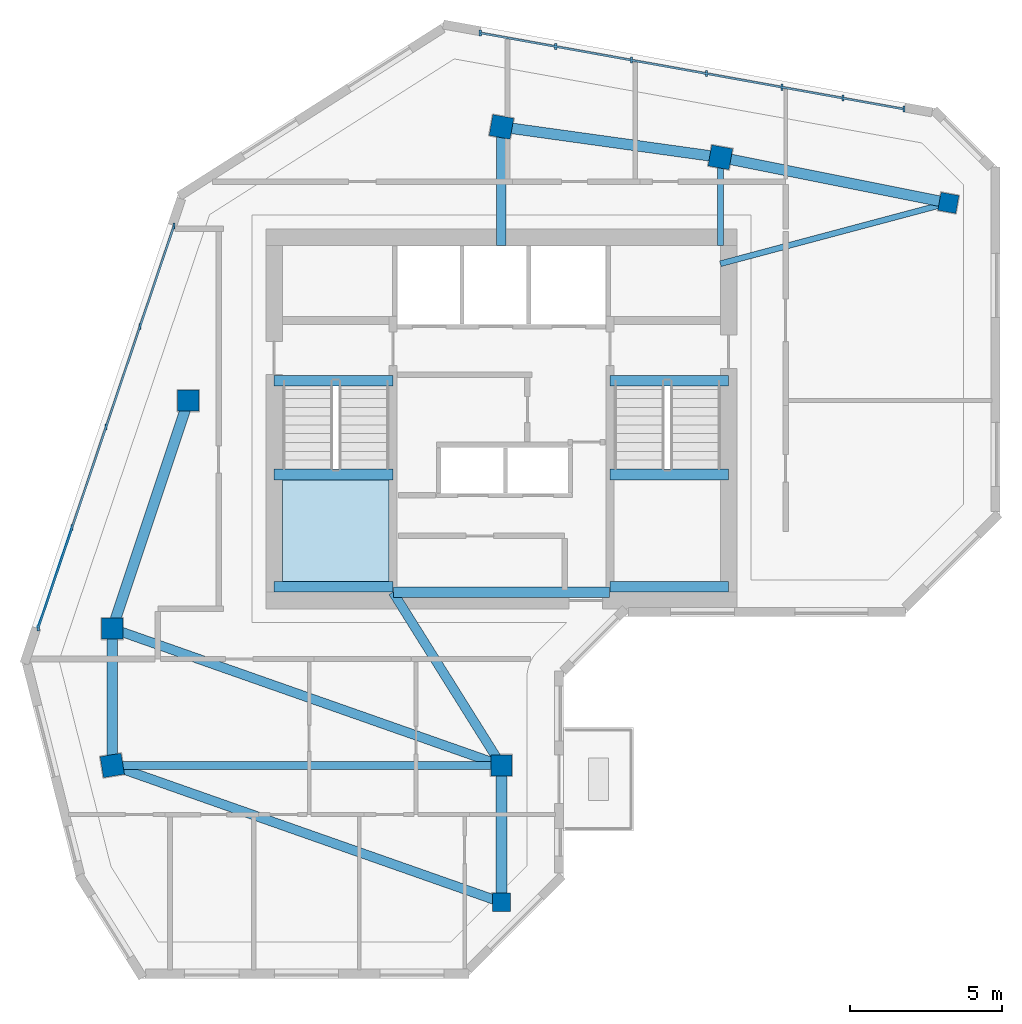
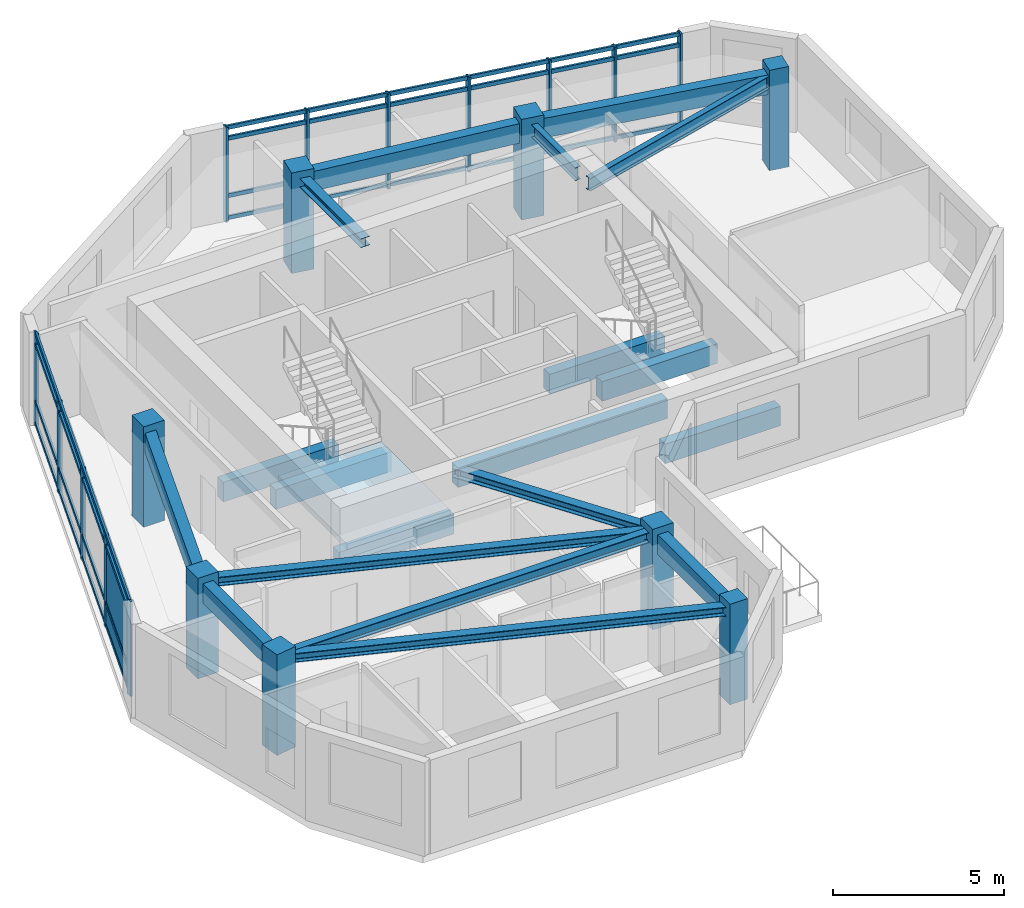
# One storey, part 1 of 7: 20 members, 19 beams, 8 columns, 2 plates, 1 slab, 3 elements without a shape of their own.
"""IFC4 building model written with IfcOpenShell, lengths in metres."""

from ifc_helpers import new_model, si_unit, direction, frame, frame_2d, origin, origin_2d, place, context, subcontext, project, spatial, polyline, rectangle, i_section, outline, extrude, source, transform, mapped, material, layer, layer_set, material_profile, profile_set, type_object, element, aggregate, save


model = new_model("IFC4")

# Units and contexts
model_context = context("Model", 3, precision=1e-05, world=origin(), true_north=direction((0.0, 1.0)))
body_context = subcontext(model_context, "Body", "Model", "MODEL_VIEW")
ifc_project = project(units=[si_unit("LENGTHUNIT", "METRE"), si_unit("AREAUNIT", "SQUARE_METRE"), si_unit("VOLUMEUNIT", "CUBIC_METRE"), si_unit("PLANEANGLEUNIT", "RADIAN"), si_unit("MASSUNIT", "GRAM", prefix="KILO")], contexts=[model_context])

# Site, building, storey
site_placement = place(None, origin())
site = spatial("IfcSite", under=ifc_project, at=site_placement, CompositionType="ELEMENT")
building_placement = place(site_placement, origin())
building = spatial("IfcBuilding", under=site, at=building_placement, Name="Calvemar Wedge Station Tower", CompositionType="ELEMENT")
storey_placement = place(building_placement, frame((0.0, 0.0, 285.300048828125)))
storey = spatial("IfcBuildingStorey", under=building, at=storey_placement, Name="L73", CompositionType="ELEMENT", Elevation=285.300048828125)

# Columns
ifc_material_1 = material(Name="Concrete C50", Category="concrete")
ifc_material_profile_1 = material_profile(ifc_material_1, rectangle(XDim=0.699951171875, YDim=0.699951171875, at=origin_2d()), Name="RC700x700")
ifc_profile_set_1 = profile_set([ifc_material_profile_1], Name="Concrete C50")
column_type_1 = type_object("IfcColumnType", Name="COL-C7-700", PredefinedType="COLUMN", material=ifc_profile_set_1)
shared_shape_1 = source(origin(), body_context, "Body", "SweptSolid", [
    extrude(rectangle(XDim=0.699951171875, YDim=0.699951171875, at=origin_2d()), origin(), (0.0, 0.0, 1.0), 3.599853515625),
])
for number, where, z_axis, x_axis, name in (
    (1, (11.0, 33.0, 0.0), (0.0, 0.0, 1.0), (1.0, 0.0, 0.0), "Storey L73 Column T-NW1"),
    (2, (13.5, 40.5, 0.0), (0.0, 0.0, 1.0), (1.0, 0.0, 0.0), "Storey L73 Column T-NW2"),
    (3, (23.800048828125, 49.5, 0.0), (0.0, 0.0, 1.0), (0.984195607969, -0.17708474032, 0.0), "Storey L73 Column T-N1"),
    (4, (31.0, 48.5, 0.0), (0.0, 0.0, 1.0), (0.984195607969, -0.17708474032, 0.0), "Storey L73 Column T-N2"),
    (5, (11.0, 28.5, 0.0), (0.0, 0.0, 1.0), (0.158158067254, -0.987413806751, 0.0), "Storey L73 Column T-SW1"),
    (6, (23.800048828125, 28.5, 0.0), (0.0, 0.0, 1.0), (1.0, 0.0, 0.0), "Storey L73 Column T-SE1"),
):
    element("IfcColumn", number, at=place(storey_placement, frame(where, z_axis=z_axis, x_axis=x_axis)), inside=storey, type_object=column_type_1, Name=name, PredefinedType="COLUMN", context=body_context, shape_type="MappedRepresentation", body=[
        mapped(shared_shape_1, transform((0.0, 0.0, 0.0), scale=1.0)),
    ])
ifc_material_profile_2 = material_profile(ifc_material_1, rectangle(XDim=0.60009765625, YDim=0.60009765625, at=origin_2d()), Name="RC600x600")
ifc_profile_set_2 = profile_set([ifc_material_profile_2], Name="Concrete C50")
column_type_2 = type_object("IfcColumnType", Name="COL-C8-600", PredefinedType="COLUMN", material=ifc_profile_set_2)
shared_shape_2 = source(origin(), body_context, "Body", "SweptSolid", [
    extrude(rectangle(XDim=0.60009765625, YDim=0.60009765625, at=origin_2d()), origin(), (0.0, 0.0, 1.0), 3.599853515625),
])
for number, where, z_axis, x_axis, name in (
    (7, (38.5, 47.0, 0.0), (0.0, 0.0, 1.0), (0.984195607969, -0.17708474032, 0.0), "Storey L73 Column T-NU3"),
    (8, (23.800048828125, 24.0, 0.0), (0.0, 0.0, 1.0), (1.0, 0.0, 0.0), "Storey L73 Column T-SE2"),
):
    element("IfcColumn", number, at=place(storey_placement, frame(where, z_axis=z_axis, x_axis=x_axis)), inside=storey, type_object=column_type_2, Name=name, PredefinedType="COLUMN", context=body_context, shape_type="MappedRepresentation", body=[
        mapped(shared_shape_2, transform((0.0, 0.0, 0.0), scale=1.0)),
    ])

# Beams
ifc_material_2 = material(Name="Concrete C70", Category="concrete")
ifc_material_profile_3 = material_profile(ifc_material_2, rectangle(XDim=0.35009765625, YDim=0.699951171875, at=origin_2d()), Name="RC350x700")
ifc_profile_set_3 = profile_set([ifc_material_profile_3], Name="Concrete C70")
beam_type_1 = type_object("IfcBeamType", Name="BM-LN1-700", PredefinedType="LINTEL", material=ifc_profile_set_3)
shared_shape_3 = source(origin(), body_context, "Body", "SweptSolid", [
    extrude(rectangle(XDim=0.35009765625, YDim=0.699951171875, at=origin_2d()), origin(), (0.0, 0.0, 1.0), 7.10009765625),
])
beam_1_placement = place(storey_placement, frame((20.25, 34.199951171875, 3.0), z_axis=(1.0, 0.0, 0.0), x_axis=(0.0, 1.0, 0.0)))
element("IfcBeam", 9, at=beam_1_placement, inside=storey, type_object=beam_type_1, Name="Storey L73 Core Coupling Lintel South", PredefinedType="LINTEL", context=body_context, shape_type="MappedRepresentation", body=[
    mapped(shared_shape_3, transform((0.0, 0.0, 0.0), scale=1.0)),
])
ifc_material_3 = material(Name="Structural steel ASTM A572 Grade 50", Category="steel")
ifc_material_profile_4 = material_profile(ifc_material_3, i_section(OverallWidth=0.30908203125, OverallDepth=0.322998046875, WebThickness=0.013916015625, FlangeThickness=0.02294921875, FilletRadius=0.014892578125, at=origin_2d()), Name="W310x143")
ifc_profile_set_4 = profile_set([ifc_material_profile_4], Name="Structural steel ASTM A572 Grade 50")
beam_type_2 = type_object("IfcBeamType", Name="BM-J5-W310H", PredefinedType="JOIST", material=ifc_profile_set_4)
shared_shape_4 = source(origin(), body_context, "Body", "SweptSolid", [
    extrude(i_section(OverallWidth=0.30908203125, OverallDepth=0.322998046875, WebThickness=0.013916015625, FlangeThickness=0.02294921875, FilletRadius=0.014892578125, at=origin_2d()), origin(), (0.0, 0.0, 1.0), 13.568115234375),
])
for number, where, z_axis, x_axis, name in (
    (10, (11.0, 33.0, 3.1884765625), (0.943398221169, -0.331662171939, 0.0), (0.331662171939, 0.943398221169, 0.0), "Storey L73 Floor Beam T-NW1-T-SE1"),
    (11, (11.0, 28.5, 3.1884765625), (0.943398221169, -0.331662171939, 0.0), (0.331662171939, 0.943398221169, 0.0), "Storey L73 Floor Beam T-SW1-T-SE2"),
):
    element("IfcBeam", number, at=place(storey_placement, frame(where, z_axis=z_axis, x_axis=x_axis)), inside=storey, type_object=beam_type_2, Name=name, PredefinedType="JOIST", context=body_context, shape_type="MappedRepresentation", body=[
        mapped(shared_shape_4, transform((0.0, 0.0, 0.0), scale=1.0)),
    ])
ifc_material_profile_5 = material_profile(ifc_material_3, i_section(OverallWidth=0.19189453125, OverallDepth=0.462890625, WebThickness=0.010498046875, FlangeThickness=0.017578125, FilletRadius=0.012939453125, at=origin_2d()), Name="W460x89")
ifc_profile_set_5 = profile_set([ifc_material_profile_5], Name="Structural steel ASTM A572 Grade 50")
beam_type_3 = type_object("IfcBeamType", Name="BM-J1-W460", PredefinedType="JOIST", material=ifc_profile_set_5)
shared_shape_5 = source(origin(), body_context, "Body", "SweptSolid", [
    extrude(i_section(OverallWidth=0.19189453125, OverallDepth=0.462890625, WebThickness=0.010498046875, FlangeThickness=0.017578125, FilletRadius=0.012939453125, at=origin_2d()), origin(), (0.0, 0.0, 1.0), 7.76220703125),
])
beam_2_placement = place(storey_placement, frame((31.0, 45.0, 3.118408203125), z_axis=(0.966234939601, 0.25766265056, 0.0), x_axis=(-0.25766265056, 0.966234939601, 0.0)))
element("IfcBeam", 12, at=beam_2_placement, inside=storey, type_object=beam_type_3, Name="Storey L73 Core-to-Column Joist CJ-E2", PredefinedType="JOIST", context=body_context, shape_type="MappedRepresentation", body=[
    mapped(shared_shape_5, transform((0.0, 0.0, 0.0), scale=1.0)),
])
shared_shape_6 = source(origin(), body_context, "Body", "SweptSolid", [
    extrude(i_section(OverallWidth=0.30908203125, OverallDepth=0.322998046875, WebThickness=0.013916015625, FlangeThickness=0.02294921875, FilletRadius=0.014892578125, at=origin_2d()), origin(), (0.0, 0.0, 1.0), 3.89990234375),
])
beam_3_placement = place(storey_placement, frame((23.800048828125, 45.60009765625, 3.1884765625), z_axis=(0.0, 1.0, 0.0), x_axis=(-1.0, 0.0, 0.0)))
element("IfcBeam", 13, at=beam_3_placement, inside=storey, type_object=beam_type_2, Name="Storey L73 Core-to-Column Joist CJ-N1", PredefinedType="JOIST", context=body_context, shape_type="MappedRepresentation", body=[
    mapped(shared_shape_6, transform((0.0, 0.0, 0.0), scale=1.0)),
])
shared_shape_7 = source(origin(), body_context, "Body", "SweptSolid", [
    extrude(i_section(OverallWidth=0.19189453125, OverallDepth=0.462890625, WebThickness=0.010498046875, FlangeThickness=0.017578125, FilletRadius=0.012939453125, at=origin_2d()), origin(), (0.0, 0.0, 1.0), 2.89990234375),
])
beam_4_placement = place(storey_placement, frame((31.0, 45.60009765625, 3.118408203125), z_axis=(0.0, 1.0, 0.0), x_axis=(-1.0, 0.0, 0.0)))
element("IfcBeam", 14, at=beam_4_placement, inside=storey, type_object=beam_type_3, Name="Storey L73 Core-to-Column Joist CJ-N2", PredefinedType="JOIST", context=body_context, shape_type="MappedRepresentation", body=[
    mapped(shared_shape_7, transform((0.0, 0.0, 0.0), scale=1.0)),
])
shared_shape_8 = source(origin(), body_context, "Body", "SweptSolid", [
    extrude(i_section(OverallWidth=0.30908203125, OverallDepth=0.322998046875, WebThickness=0.013916015625, FlangeThickness=0.02294921875, FilletRadius=0.014892578125, at=origin_2d()), origin(), (0.0, 0.0, 1.0), 6.7255859375),
])
beam_5_placement = place(storey_placement, frame((20.22998046875, 34.199951171875, 3.1884765625), z_axis=(0.530811158438, -0.847490126242, 0.0), x_axis=(0.847490126242, 0.530811158438, 0.0)))
element("IfcBeam", 15, at=beam_5_placement, inside=storey, type_object=beam_type_2, Name="Storey L73 Core-to-Column Joist CJ-S2", PredefinedType="JOIST", context=body_context, shape_type="MappedRepresentation", body=[
    mapped(shared_shape_8, transform((0.0, 0.0, 0.0), scale=1.0)),
])
ifc_material_profile_6 = material_profile(ifc_material_1, rectangle(XDim=0.35009765625, YDim=0.699951171875, at=origin_2d()), Name="RC350x700")
ifc_profile_set_6 = profile_set([ifc_material_profile_6], Name="Concrete C50")
beam_type_4 = type_object("IfcBeamType", Name="BM-SP2-700", PredefinedType="SPANDREL", material=ifc_profile_set_6)
shared_shape_9 = source(origin(), body_context, "Body", "SweptSolid", [
    extrude(rectangle(XDim=0.35009765625, YDim=0.699951171875, at=origin_2d()), origin(), (0.0, 0.0, 1.0), 7.90576171875),
])
beam_6_placement = place(storey_placement, frame((11.0, 33.0, 3.0), z_axis=(0.316227766017, 0.948683298051, 0.0), x_axis=(-0.948683298051, 0.316227766017, 0.0)))
element("IfcBeam", 16, at=beam_6_placement, inside=storey, type_object=beam_type_4, Name="Storey L73 Spandrel T-NW1-T-NW2", PredefinedType="SPANDREL", context=body_context, shape_type="MappedRepresentation", body=[
    mapped(shared_shape_9, transform((0.0, 0.0, 0.0), scale=1.0)),
])
shared_shape_10 = source(origin(), body_context, "Body", "SweptSolid", [
    extrude(rectangle(XDim=0.35009765625, YDim=0.699951171875, at=origin_2d()), origin(), (0.0, 0.0, 1.0), 7.26904296875),
])
beam_7_placement = place(storey_placement, frame((23.800048828125, 49.5, 3.0), z_axis=(0.990492146053, -0.13756928657, 0.0), x_axis=(0.13756928657, 0.990492146053, 0.0)))
element("IfcBeam", 17, at=beam_7_placement, inside=storey, type_object=beam_type_4, Name="Storey L73 Spandrel T-N1-T-N2", PredefinedType="SPANDREL", context=body_context, shape_type="MappedRepresentation", body=[
    mapped(shared_shape_10, transform((0.0, 0.0, 0.0), scale=1.0)),
])
shared_shape_11 = source(origin(), body_context, "Body", "SweptSolid", [
    extrude(rectangle(XDim=0.35009765625, YDim=0.699951171875, at=origin_2d()), origin(), (0.0, 0.0, 1.0), 7.6484375),
])
beam_8_placement = place(storey_placement, frame((31.0, 48.5, 3.0), z_axis=(0.980580675691, -0.196116135138, 0.0), x_axis=(0.196116135138, 0.980580675691, 0.0)))
element("IfcBeam", 18, at=beam_8_placement, inside=storey, type_object=beam_type_4, Name="Storey L73 Spandrel T-N2-T-NU3", PredefinedType="SPANDREL", context=body_context, shape_type="MappedRepresentation", body=[
    mapped(shared_shape_11, transform((0.0, 0.0, 0.0), scale=1.0)),
])
shared_shape_12 = source(origin(), body_context, "Body", "SweptSolid", [
    extrude(rectangle(XDim=0.35009765625, YDim=0.699951171875, at=origin_2d()), origin(), (0.0, 0.0, 1.0), 4.5),
])
for number, where, z_axis, x_axis, name in (
    (19, (11.0, 33.0, 3.0), (0.0, -1.0, 0.0), (1.0, 0.0, 0.0), "Storey L73 Spandrel T-NW1-T-SW1"),
    (20, (23.800048828125, 28.5, 3.0), (0.0, -1.0, 0.0), (1.0, 0.0, 0.0), "Storey L73 Spandrel T-SE1-T-SE2"),
):
    element("IfcBeam", number, at=place(storey_placement, frame(where, z_axis=z_axis, x_axis=x_axis)), inside=storey, type_object=beam_type_4, Name=name, PredefinedType="SPANDREL", context=body_context, shape_type="MappedRepresentation", body=[
        mapped(shared_shape_12, transform((0.0, 0.0, 0.0), scale=1.0)),
    ])
shared_shape_13 = source(origin(), body_context, "Body", "SweptSolid", [
    extrude(rectangle(XDim=0.35009765625, YDim=0.699951171875, at=origin_2d()), origin(), (0.0, 0.0, 1.0), 3.905029296875),
])
for number, where, z_axis, x_axis, name in (
    (21, (16.324951171875, 41.14990234375, -0.35009765625), (1.0, 0.0, 0.0), (0.0, 1.0, 0.0), "Storey L73 Stair ST-C1 Landing Trimmer Beam"),
    (22, (16.324951171875, 34.3798828125, 1.25), (1.0, 0.0, 0.0), (0.0, 1.0, 0.0), "Storey L73 Stair ST-C1 Half-Landing Beam 1A"),
    (23, (16.324951171875, 38.070068359375, 1.25), (1.0, 0.0, 0.0), (0.0, 1.0, 0.0), "Storey L73 Stair ST-C1 Half-Landing Beam 1B"),
):
    element("IfcBeam", number, at=place(storey_placement, frame(where, z_axis=z_axis, x_axis=x_axis)), inside=storey, type_object=beam_type_1, Name=name, PredefinedType="LINTEL", context=body_context, shape_type="MappedRepresentation", body=[
        mapped(shared_shape_13, transform((0.0, 0.0, 0.0), scale=1.0)),
    ])
shared_shape_14 = source(origin(), body_context, "Body", "SweptSolid", [
    extrude(rectangle(XDim=0.35009765625, YDim=0.699951171875, at=origin_2d()), origin(), (0.0, 0.0, 1.0), 3.90478515625),
])
for number, where, z_axis, x_axis, name in (
    (24, (27.3701171875, 41.14990234375, -0.35009765625), (1.0, 0.0, 0.0), (0.0, 1.0, 0.0), "Storey L73 Stair ST-C2 Landing Trimmer Beam"),
    (25, (27.3701171875, 34.3798828125, 1.25), (1.0, 0.0, 0.0), (0.0, 1.0, 0.0), "Storey L73 Stair ST-C2 Half-Landing Beam 1A"),
    (26, (27.3701171875, 38.070068359375, 1.25), (1.0, 0.0, 0.0), (0.0, 1.0, 0.0), "Storey L73 Stair ST-C2 Half-Landing Beam 1B"),
):
    element("IfcBeam", number, at=place(storey_placement, frame(where, z_axis=z_axis, x_axis=x_axis)), inside=storey, type_object=beam_type_1, Name=name, PredefinedType="LINTEL", context=body_context, shape_type="MappedRepresentation", body=[
        mapped(shared_shape_14, transform((0.0, 0.0, 0.0), scale=1.0)),
    ])
ifc_material_profile_7 = material_profile(ifc_material_3, i_section(OverallWidth=0.257080078125, OverallDepth=0.363037109375, WebThickness=0.012939453125, FlangeThickness=0.021728515625, FilletRadius=0.014892578125, at=origin_2d()), Name="W360x122")
ifc_profile_set_7 = profile_set([ifc_material_profile_7], Name="Structural steel ASTM A572 Grade 50")
beam_type_5 = type_object("IfcBeamType", Name="BM-J4-W360", PredefinedType="JOIST", material=ifc_profile_set_7)
shared_shape_15 = source(origin(), body_context, "Body", "SweptSolid", [
    extrude(i_section(OverallWidth=0.257080078125, OverallDepth=0.363037109375, WebThickness=0.012939453125, FlangeThickness=0.021728515625, FilletRadius=0.014892578125, at=origin_2d()), origin(), (0.0, 0.0, 1.0), 12.800048828125),
])
beam_9_placement = place(storey_placement, frame((11.0, 28.5, 3.16845703125), z_axis=(1.0, 0.0, 0.0), x_axis=(0.0, 1.0, 0.0)))
element("IfcBeam", 27, at=beam_9_placement, inside=storey, type_object=beam_type_5, Name="Storey L73 Floor Beam T-SW1-T-SE1", PredefinedType="JOIST", context=body_context, shape_type="MappedRepresentation", body=[
    mapped(shared_shape_15, transform((0.0, 0.0, 0.0), scale=1.0)),
])

# Curtain wall, members
ifc_material_4 = material(Name="Anodised aluminium 6063-T6", Category="aluminium")
curtain_wall_type = type_object("IfcCurtainWallType", Name="CW4", PredefinedType="NOTDEFINED", material=ifc_material_4)
curtain_wall_1_placement = place(storey_placement, origin())
curtain_wall_1 = element("IfcCurtainWall", 28, at=curtain_wall_1_placement, inside=storey, type_object=curtain_wall_type, Name="Storey L73 CW4 Recessed Unitised Curtain Wall 10", PredefinedType="NOTDEFINED")
ifc_material_profile_8 = material_profile(ifc_material_4, rectangle(XDim=0.070068359375, YDim=0.199951171875, at=origin_2d()), Name="AL-MUL-70x200")
ifc_profile_set_8 = profile_set([ifc_material_profile_8], Name="Anodised aluminium 6063-T6")
member_type_1 = type_object("IfcMemberType", Name="CW4-MUL", PredefinedType="MULLION", material=ifc_profile_set_8)
shared_shape_16 = source(origin(), body_context, "Body", "SweptSolid", [
    extrude(rectangle(XDim=0.070068359375, YDim=0.199951171875, at=origin_2d()), origin(), (0.0, 0.0, 1.0), 3.39990234375),
])
member_1_placement = place(storey_placement, frame((37.033935546875, 50.084228515625, -0.050048828125), z_axis=(0.0, 0.0, 1.0), x_axis=(1.0, 0.0, 0.0)))
member_1 = element("IfcMember", 29, at=member_1_placement, type_object=member_type_1, Name="CW4 mullion 1", PredefinedType="MULLION", context=body_context, shape_type="MappedRepresentation", body=[
    mapped(shared_shape_16, transform((0.0, 0.0, 0.0), scale=1.0)),
])
member_2_placement = place(storey_placement, frame((35.02783203125, 50.44482421875, -0.050048828125), z_axis=(0.0, 0.0, 1.0), x_axis=(1.0, 0.0, 0.0)))
member_2 = element("IfcMember", 30, at=member_2_placement, type_object=member_type_1, Name="CW4 mullion 2", PredefinedType="MULLION", context=body_context, shape_type="MappedRepresentation", body=[
    mapped(shared_shape_16, transform((0.0, 0.0, 0.0), scale=1.0)),
])
member_3_placement = place(storey_placement, frame((33.02197265625, 50.805419921875, -0.050048828125), z_axis=(0.0, 0.0, 1.0), x_axis=(1.0, 0.0, 0.0)))
member_3 = element("IfcMember", 31, at=member_3_placement, type_object=member_type_1, Name="CW4 mullion 3", PredefinedType="MULLION", context=body_context, shape_type="MappedRepresentation", body=[
    mapped(shared_shape_16, transform((0.0, 0.0, 0.0), scale=1.0)),
])
member_4_placement = place(storey_placement, frame((30.546875, 51.250244140625, -0.050048828125), z_axis=(0.0, 0.0, 1.0), x_axis=(1.0, 0.0, 0.0)))
member_4 = element("IfcMember", 32, at=member_4_placement, type_object=member_type_1, Name="CW4 mullion 4", PredefinedType="MULLION", context=body_context, shape_type="MappedRepresentation", body=[
    mapped(shared_shape_16, transform((0.0, 0.0, 0.0), scale=1.0)),
])
member_5_placement = place(storey_placement, frame((28.072021484375, 51.695068359375, -0.050048828125), z_axis=(0.0, 0.0, 1.0), x_axis=(1.0, 0.0, 0.0)))
member_5 = element("IfcMember", 33, at=member_5_placement, type_object=member_type_1, Name="CW4 mullion 5", PredefinedType="MULLION", context=body_context, shape_type="MappedRepresentation", body=[
    mapped(shared_shape_16, transform((0.0, 0.0, 0.0), scale=1.0)),
])
member_6_placement = place(storey_placement, frame((25.587646484375, 52.1416015625, -0.050048828125), z_axis=(0.0, 0.0, 1.0), x_axis=(1.0, 0.0, 0.0)))
member_6 = element("IfcMember", 34, at=member_6_placement, type_object=member_type_1, Name="CW4 mullion 6", PredefinedType="MULLION", context=body_context, shape_type="MappedRepresentation", body=[
    mapped(shared_shape_16, transform((0.0, 0.0, 0.0), scale=1.0)),
])
member_7_placement = place(storey_placement, frame((23.10302734375, 52.58837890625, -0.050048828125), z_axis=(0.0, 0.0, 1.0), x_axis=(1.0, 0.0, 0.0)))
member_7 = element("IfcMember", 35, at=member_7_placement, type_object=member_type_1, Name="CW4 mullion 7", PredefinedType="MULLION", context=body_context, shape_type="MappedRepresentation", body=[
    mapped(shared_shape_16, transform((0.0, 0.0, 0.0), scale=1.0)),
])

curtain_wall_2_placement = place(storey_placement, origin())
curtain_wall_2 = element("IfcCurtainWall", 36, at=curtain_wall_2_placement, inside=storey, type_object=curtain_wall_type, Name="Storey L73 CW4 Recessed Unitised Curtain Wall 12", PredefinedType="NOTDEFINED")
member_8_placement = place(storey_placement, frame((13.030029296875, 46.240478515625, -0.050048828125), z_axis=(0.0, 0.0, 1.0), x_axis=(1.0, 0.0, 0.0)))
member_8 = element("IfcMember", 37, at=member_8_placement, type_object=member_type_1, Name="CW4 mullion 1", PredefinedType="MULLION", context=body_context, shape_type="MappedRepresentation", body=[
    mapped(shared_shape_16, transform((0.0, 0.0, 0.0), scale=1.0)),
])
member_9_placement = place(storey_placement, frame((11.913818359375, 42.9345703125, -0.050048828125), z_axis=(0.0, 0.0, 1.0), x_axis=(1.0, 0.0, 0.0)))
member_9 = element("IfcMember", 38, at=member_9_placement, type_object=member_type_1, Name="CW4 mullion 2", PredefinedType="MULLION", context=body_context, shape_type="MappedRepresentation", body=[
    mapped(shared_shape_16, transform((0.0, 0.0, 0.0), scale=1.0)),
])
member_10_placement = place(storey_placement, frame((10.797607421875, 39.628662109375, -0.050048828125), z_axis=(0.0, 0.0, 1.0), x_axis=(1.0, 0.0, 0.0)))
member_10 = element("IfcMember", 39, at=member_10_placement, type_object=member_type_1, Name="CW4 mullion 3", PredefinedType="MULLION", context=body_context, shape_type="MappedRepresentation", body=[
    mapped(shared_shape_16, transform((0.0, 0.0, 0.0), scale=1.0)),
])
member_11_placement = place(storey_placement, frame((9.681396484375, 36.32275390625, -0.050048828125), z_axis=(0.0, 0.0, 1.0), x_axis=(1.0, 0.0, 0.0)))
member_11 = element("IfcMember", 40, at=member_11_placement, type_object=member_type_1, Name="CW4 mullion 4", PredefinedType="MULLION", context=body_context, shape_type="MappedRepresentation", body=[
    mapped(shared_shape_16, transform((0.0, 0.0, 0.0), scale=1.0)),
])
member_12_placement = place(storey_placement, frame((8.56494140625, 33.016845703125, -0.050048828125), z_axis=(0.0, 0.0, 1.0), x_axis=(1.0, 0.0, 0.0)))
member_12 = element("IfcMember", 41, at=member_12_placement, type_object=member_type_1, Name="CW4 mullion 5", PredefinedType="MULLION", context=body_context, shape_type="MappedRepresentation", body=[
    mapped(shared_shape_16, transform((0.0, 0.0, 0.0), scale=1.0)),
])

# Member
ifc_material_profile_9 = material_profile(ifc_material_4, rectangle(XDim=0.070068359375, YDim=0.139892578125, at=origin_2d()), Name="AL-TRN-70x140")
ifc_profile_set_9 = profile_set([ifc_material_profile_9], Name="Anodised aluminium 6063-T6")
member_type_2 = type_object("IfcMemberType", Name="CW4-TRN", PredefinedType="USERDEFINED", material=ifc_profile_set_9)
shared_shape_17 = source(origin(), body_context, "Body", "SweptSolid", [
    extrude(rectangle(XDim=0.070068359375, YDim=0.139892578125, at=origin_2d()), origin(), (0.0, 0.0, 1.0), 14.154296875),
])
member_13_placement = place(storey_placement, frame((37.033935546875, 50.084228515625, 0.06005859375), z_axis=(-0.984225338595, 0.17691942479, 0.0), x_axis=(-0.17691942479, -0.984225338595, 0.0)))
member_13 = element("IfcMember", 42, at=member_13_placement, type_object=member_type_2, Name="CW4 transom 1", ObjectType="TRANSOM", PredefinedType="USERDEFINED", context=body_context, shape_type="MappedRepresentation", body=[
    mapped(shared_shape_17, transform((0.0, 0.0, 0.0), scale=1.0)),
])

member_14_placement = place(storey_placement, frame((37.033935546875, 50.084228515625, 0.849853515625), z_axis=(-0.984225338595, 0.17691942479, 0.0), x_axis=(-0.17691942479, -0.984225338595, 0.0)))
member_14 = element("IfcMember", 43, at=member_14_placement, type_object=member_type_2, Name="CW4 transom 2", ObjectType="TRANSOM", PredefinedType="USERDEFINED", context=body_context, shape_type="MappedRepresentation", body=[
    mapped(shared_shape_17, transform((0.0, 0.0, 0.0), scale=1.0)),
])

member_15_placement = place(storey_placement, frame((37.033935546875, 50.084228515625, 2.89990234375), z_axis=(-0.984225338595, 0.17691942479, 0.0), x_axis=(-0.17691942479, -0.984225338595, 0.0)))
member_15 = element("IfcMember", 44, at=member_15_placement, type_object=member_type_2, Name="CW4 transom 3", ObjectType="TRANSOM", PredefinedType="USERDEFINED", context=body_context, shape_type="MappedRepresentation", body=[
    mapped(shared_shape_17, transform((0.0, 0.0, 0.0), scale=1.0)),
])

member_16_placement = place(storey_placement, frame((37.033935546875, 50.084228515625, 3.2900390625), z_axis=(-0.984225338595, 0.17691942479, 0.0), x_axis=(-0.17691942479, -0.984225338595, 0.0)))
member_16 = element("IfcMember", 45, at=member_16_placement, type_object=member_type_2, Name="CW4 transom 4", ObjectType="TRANSOM", PredefinedType="USERDEFINED", context=body_context, shape_type="MappedRepresentation", body=[
    mapped(shared_shape_17, transform((0.0, 0.0, 0.0), scale=1.0)),
])

aggregate(curtain_wall_1, [member_1, member_2, member_3, member_4, member_5, member_6, member_7, member_13, member_14, member_15, member_16])

shared_shape_18 = source(origin(), body_context, "Body", "SweptSolid", [
    extrude(rectangle(XDim=0.070068359375, YDim=0.139892578125, at=origin_2d()), origin(), (0.0, 0.0, 1.0), 13.95703125),
])
member_17_placement = place(storey_placement, frame((13.030029296875, 46.240478515625, 0.06005859375), z_axis=(-0.319914475782, -0.947446424968, 0.0), x_axis=(0.947446424968, -0.319914475782, 0.0)))
member_17 = element("IfcMember", 46, at=member_17_placement, type_object=member_type_2, Name="CW4 transom 1", ObjectType="TRANSOM", PredefinedType="USERDEFINED", context=body_context, shape_type="MappedRepresentation", body=[
    mapped(shared_shape_18, transform((0.0, 0.0, 0.0), scale=1.0)),
])

member_18_placement = place(storey_placement, frame((13.030029296875, 46.240478515625, 0.849853515625), z_axis=(-0.319914475782, -0.947446424968, 0.0), x_axis=(0.947446424968, -0.319914475782, 0.0)))
member_18 = element("IfcMember", 47, at=member_18_placement, type_object=member_type_2, Name="CW4 transom 2", ObjectType="TRANSOM", PredefinedType="USERDEFINED", context=body_context, shape_type="MappedRepresentation", body=[
    mapped(shared_shape_18, transform((0.0, 0.0, 0.0), scale=1.0)),
])

member_19_placement = place(storey_placement, frame((13.030029296875, 46.240478515625, 2.89990234375), z_axis=(-0.319914475782, -0.947446424968, 0.0), x_axis=(0.947446424968, -0.319914475782, 0.0)))
member_19 = element("IfcMember", 48, at=member_19_placement, type_object=member_type_2, Name="CW4 transom 3", ObjectType="TRANSOM", PredefinedType="USERDEFINED", context=body_context, shape_type="MappedRepresentation", body=[
    mapped(shared_shape_18, transform((0.0, 0.0, 0.0), scale=1.0)),
])

member_20_placement = place(storey_placement, frame((13.030029296875, 46.240478515625, 3.2900390625), z_axis=(-0.319914475782, -0.947446424968, 0.0), x_axis=(0.947446424968, -0.319914475782, 0.0)))
member_20 = element("IfcMember", 49, at=member_20_placement, type_object=member_type_2, Name="CW4 transom 4", ObjectType="TRANSOM", PredefinedType="USERDEFINED", context=body_context, shape_type="MappedRepresentation", body=[
    mapped(shared_shape_18, transform((0.0, 0.0, 0.0), scale=1.0)),
])

# Plate
ifc_material_5 = material(Name="Low-E laminated insulated glass", Category="glass")
ifc_layer_1 = layer(ifc_material_5, 0.028076171875)
ifc_layer_set_1 = layer_set([ifc_layer_1], Name="Low-E laminated insulated glass")
plate_type_1 = type_object("IfcPlateType", Name="CW4-GLZ", PredefinedType="CURTAIN_PANEL", material=ifc_layer_set_1)
plate_1_placement = place(storey_placement, frame((9.675537109375, 36.3056640625, 0.869873046875), z_axis=(0.0, 0.0, 1.0), x_axis=(-0.319915894708, -0.947445945853, 0.0)))
plate_1 = element("IfcPlate", 50, at=plate_1_placement, type_object=plate_type_1, Name="CW4 vision glass panel 4", PredefinedType="CURTAIN_PANEL", context=body_context, shape_type="SweptSolid", body=[
    extrude(rectangle(XDim=3.453125, YDim=0.028076171875, at=frame_2d((1.7265625, 0.0))), origin(), (0.0, 0.0, 1.0), 2.010009765625),
])

ifc_material_6 = material(Name="Oxidized bronze aluminium spandrel panel 5005-H24", Category="aluminium")
ifc_layer_2 = layer(ifc_material_6, 0.0400390625)
ifc_layer_set_2 = layer_set([ifc_layer_2], Name="Oxidized bronze aluminium spandrel panel 5005-H24")
plate_type_2 = type_object("IfcPlateType", Name="CW4-SPD", PredefinedType="SHEET", material=ifc_layer_set_2)
plate_2_placement = place(storey_placement, frame((9.675537109375, 36.3056640625, 0.079833984375), z_axis=(0.0, 0.0, 1.0), x_axis=(-0.319915894708, -0.947445945853, 0.0)))
plate_2 = element("IfcPlate", 51, at=plate_2_placement, type_object=plate_type_2, Name="CW4 bronze spandrel panel 4", PredefinedType="SHEET", context=body_context, shape_type="SweptSolid", body=[
    extrude(rectangle(XDim=3.453125, YDim=0.0400390625, at=frame_2d((1.7265625, 0.0))), origin(), (0.0, 0.0, 1.0), 0.75),
])

aggregate(curtain_wall_2, [member_8, member_9, member_10, member_11, member_12, member_17, member_18, member_19, member_20, plate_2, plate_1])

# Stair, slab
ifc_material_7 = material(Name="Concrete C45", Category="concrete")
stair_type = type_object("IfcStairType", Name="ST-TYPE-3600", PredefinedType="HALF_TURN_STAIR", material=ifc_material_7)
stair_placement = place(storey_placement, origin())
stair = element("IfcStair", 52, at=stair_placement, inside=storey, type_object=stair_type, Name="L73 Pressurized Core Exit Stair ST-C1", PredefinedType="HALF_TURN_STAIR")
ifc_layer_3 = layer(ifc_material_7, 0.199951171875)
ifc_layer_set_3 = layer_set([ifc_layer_3], Name="Concrete C45")
slab_type = type_object("IfcSlabType", Name="SL-STAIR-LND-200", PredefinedType="LANDING", material=ifc_layer_set_3)
slab_placement = place(storey_placement, frame((0.0, 0.0, 1.599853515625)))
slab = element("IfcSlab", 53, at=slab_placement, type_object=slab_type, Name="ST-C1 landing 1", PredefinedType="LANDING", context=body_context, shape_type="SweptSolid", body=[
    extrude(outline(polyline([(16.60009765625, 38.25), (16.60009765625, 34.199951171875), (20.10009765625, 34.199951171875), (20.10009765625, 38.25), (16.60009765625, 38.25)])), origin(), (0.0, 0.0, 1.0), 0.2001953125),
])
aggregate(stair, [slab])

save(model, "model.ifc")
